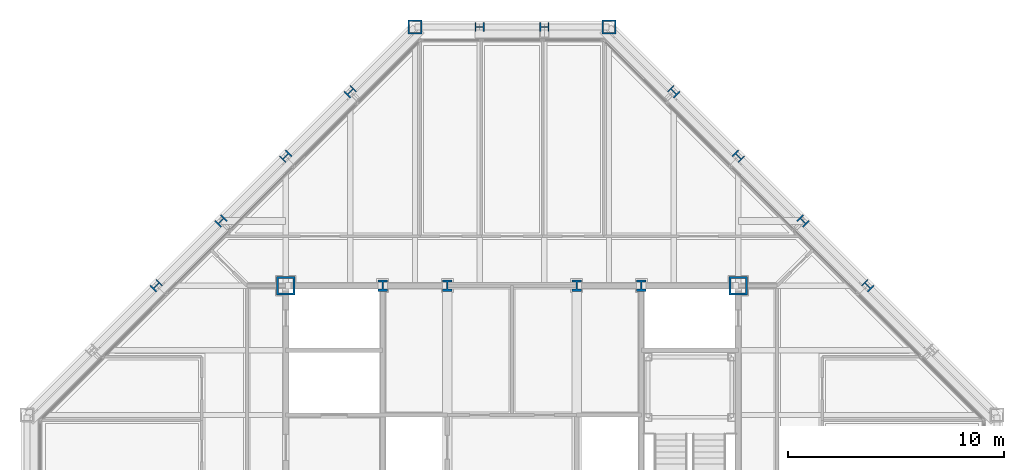
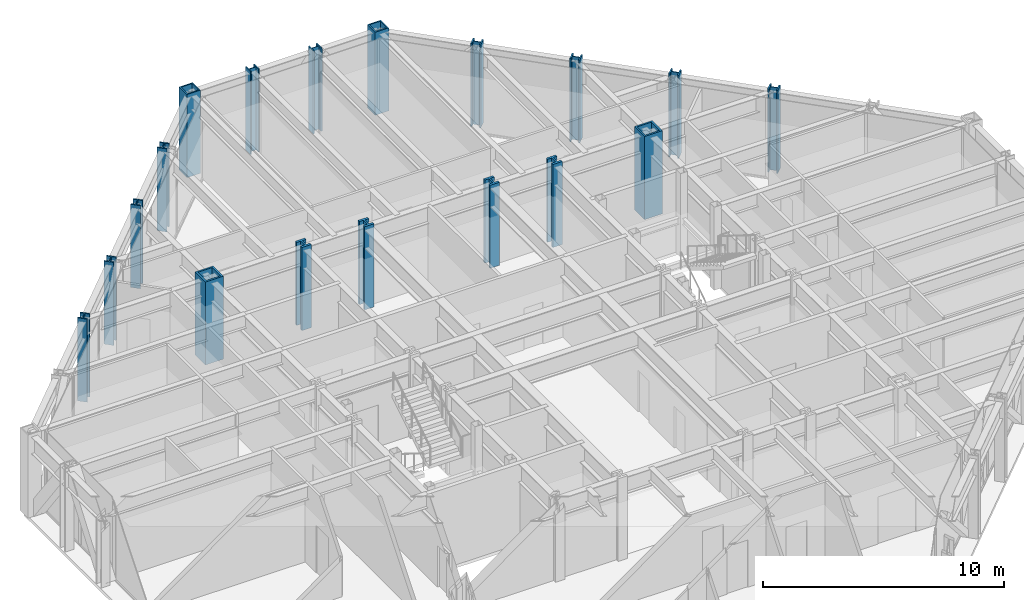
# One storey, part 4 of 15: 18 columns.
"""IFC4 building model written with IfcOpenShell, lengths in metres."""

from ifc_helpers import new_model, si_unit, direction, frame, origin, origin_2d, place, context, subcontext, project, spatial, hollow_rectangle, i_section, extrude, material, material_profile, profile_set, type_object, element, save


model = new_model("IFC4")

# Units and contexts
model_context = context("Model", 3, precision=1e-05, world=origin(), true_north=direction((0.0, 1.0)))
body_context = subcontext(model_context, "Body", "Model", "MODEL_VIEW")
ifc_project = project(units=[si_unit("LENGTHUNIT", "METRE"), si_unit("AREAUNIT", "SQUARE_METRE"), si_unit("VOLUMEUNIT", "CUBIC_METRE"), si_unit("PLANEANGLEUNIT", "RADIAN"), si_unit("MASSUNIT", "GRAM", prefix="KILO")], contexts=[model_context])

# Site, building, storey
site_placement = place(None, origin())
site = spatial("IfcSite", under=ifc_project, at=site_placement, CompositionType="ELEMENT")
building_placement = place(site_placement, origin())
building = spatial("IfcBuilding", under=site, at=building_placement, Name="Chuquiago Exchange Tower", CompositionType="ELEMENT")
storey_placement = place(building_placement, frame((0.0, 0.0, 262.199951171875)))
storey = spatial("IfcBuildingStorey", under=building, at=storey_placement, Name="L58", CompositionType="ELEMENT", Elevation=262.199951171875)

# Columns
ifc_material_1 = material(Name="Steel ASTM A992", Category="steel")
ifc_material_profile_1 = material_profile(ifc_material_1, i_section(OverallWidth=0.411376953125, OverallDepth=0.434326171875, WebThickness=0.035888671875, FlangeThickness=0.057373046875, at=origin_2d()), Name="W14X311")
ifc_profile_set_1 = profile_set([ifc_material_profile_1], Name="Steel ASTM A992")
column_type_1 = type_object("IfcColumnType", Name="C5 W14X311", PredefinedType="COLUMN", material=ifc_profile_set_1)
for number, where, z_axis, x_axis, name in (
    (1, (24.0, 45.0, 0.0), (0.0, 0.0, 1.0), (0.0, 1.0, 0.0), "COL-L58-24_45"),
    (2, (21.0, 45.0, 0.0), (0.0, 0.0, 1.0), (0.0, 1.0, 0.0), "COL-L58-21_45"),
):
    element("IfcColumn", number, at=place(storey_placement, frame(where, z_axis=z_axis, x_axis=x_axis)), inside=storey, type_object=column_type_1, Name=name, PredefinedType="COLUMN", context=body_context, shape_type="SweptSolid", body=[
        extrude(i_section(OverallWidth=0.411376953125, OverallDepth=0.434326171875, WebThickness=0.035888671875, FlangeThickness=0.057373046875, at=origin_2d()), origin(), (0.0, 0.0, 1.0), 4.199951171875),
    ])
ifc_material_2 = material(Name="Steel ASTM A992", Category="steel")
ifc_material_profile_2 = material_profile(ifc_material_2, i_section(OverallWidth=0.449462890625, OverallDepth=0.548583984375, WebThickness=0.07177734375, FlangeThickness=0.11474609375, at=origin_2d()), Name="W14X665")
ifc_profile_set_2 = profile_set([ifc_material_profile_2], Name="Steel ASTM A992")
column_type_2 = type_object("IfcColumnType", Name="CC5 W14X665", PredefinedType="COLUMN", material=ifc_profile_set_2)
for number, where, z_axis, x_axis, name in (
    (3, (16.5, 33.0, 0.0), (0.0, 0.0, 1.0), (1.0, 0.0, 0.0), "CCOL-L58-16.5_33"),
    (4, (19.5, 33.0, 0.0), (0.0, 0.0, 1.0), (1.0, 0.0, 0.0), "CCOL-L58-19.5_33"),
    (5, (25.5, 33.0, 0.0), (0.0, 0.0, 1.0), (1.0, 0.0, 0.0), "CCOL-L58-25.5_33"),
    (6, (28.5, 33.0, 0.0), (0.0, 0.0, 1.0), (1.0, 0.0, 0.0), "CCOL-L58-28.5_33"),
):
    element("IfcColumn", number, at=place(storey_placement, frame(where, z_axis=z_axis, x_axis=x_axis)), inside=storey, type_object=column_type_2, Name=name, PredefinedType="COLUMN", context=body_context, shape_type="SweptSolid", body=[
        extrude(i_section(OverallWidth=0.449462890625, OverallDepth=0.548583984375, WebThickness=0.07177734375, FlangeThickness=0.11474609375, at=origin_2d()), origin(), (0.0, 0.0, 1.0), 4.199951171875),
    ])
ifc_material_3 = material(Name="Steel ASTM A572 Grade 50", Category="steel")
ifc_material_profile_3 = material_profile(ifc_material_3, hollow_rectangle(XDim=0.85009765625, YDim=0.85009765625, WallThickness=0.0849609375, at=origin_2d()), Name="BOX850X850X85")
ifc_profile_set_3 = profile_set([ifc_material_profile_3], Name="Steel ASTM A572 Grade 50")
column_type_3 = type_object("IfcColumnType", Name="CC6 BOX850X850X85", PredefinedType="COLUMN", material=ifc_profile_set_3)
for number, where, z_axis, x_axis, name in (
    (7, (12.0, 33.0, 0.0), (0.0, 0.0, 1.0), (1.0, 0.0, 0.0), "CCOL-L58-12_33"),
    (8, (33.0, 33.0, 0.0), (0.0, 0.0, 1.0), (1.0, 0.0, 0.0), "CCOL-L58-33_33"),
):
    element("IfcColumn", number, at=place(storey_placement, frame(where, z_axis=z_axis, x_axis=x_axis)), inside=storey, type_object=column_type_3, Name=name, PredefinedType="COLUMN", context=body_context, shape_type="SweptSolid", body=[
        extrude(hollow_rectangle(XDim=0.85009765625, YDim=0.85009765625, WallThickness=0.0849609375, at=origin_2d()), origin(), (0.0, 0.0, 1.0), 4.199951171875),
    ])
ifc_material_4 = material(Name="Steel ASTM A992", Category="steel")
ifc_material_profile_4 = material_profile(ifc_material_4, i_section(OverallWidth=0.41650390625, OverallDepth=0.444580078125, WebThickness=0.0390625, FlangeThickness=0.062744140625, at=origin_2d()), Name="W14X342")
ifc_profile_set_4 = profile_set([ifc_material_profile_4], Name="Steel ASTM A992")
column_type_4 = type_object("IfcColumnType", Name="CK5 W14X342", PredefinedType="COLUMN", material=ifc_profile_set_4)
for number, where, z_axis, x_axis, name in (
    (9, (39.0, 33.0, 0.0), (0.0, 0.0, 1.0), (0.707106781187, 0.707106781187, 0.0), "COL-L58-39_33"),
    (10, (36.0, 36.0, 0.0), (0.0, 0.0, 1.0), (0.707106781187, 0.707106781187, 0.0), "COL-L58-36_36"),
    (11, (33.0, 39.0, 0.0), (0.0, 0.0, 1.0), (0.707106781187, 0.707106781187, 0.0), "COL-L58-33_39"),
    (12, (30.0, 42.0, 0.0), (0.0, 0.0, 1.0), (0.707106781187, 0.707106781187, 0.0), "COL-L58-30_42"),
    (13, (15.0, 42.0, 0.0), (0.0, 0.0, 1.0), (-0.707106781187, 0.707106781187, 0.0), "COL-L58-15_42"),
    (14, (12.0, 39.0, 0.0), (0.0, 0.0, 1.0), (-0.707106781187, 0.707106781187, 0.0), "COL-L58-12_39"),
    (15, (9.0, 36.0, 0.0), (0.0, 0.0, 1.0), (-0.707106781187, 0.707106781187, 0.0), "COL-L58-9_36"),
    (16, (6.0, 33.0, 0.0), (0.0, 0.0, 1.0), (-0.707106781187, 0.707106781187, 0.0), "COL-L58-6_33"),
):
    element("IfcColumn", number, at=place(storey_placement, frame(where, z_axis=z_axis, x_axis=x_axis)), inside=storey, type_object=column_type_4, Name=name, PredefinedType="COLUMN", context=body_context, shape_type="SweptSolid", body=[
        extrude(i_section(OverallWidth=0.41650390625, OverallDepth=0.444580078125, WebThickness=0.0390625, FlangeThickness=0.062744140625, at=origin_2d()), origin(), (0.0, 0.0, 1.0), 4.199951171875),
    ])
ifc_material_5 = material(Name="Steel ASTM A572 Grade 50", Category="steel")
ifc_material_profile_5 = material_profile(ifc_material_5, hollow_rectangle(XDim=0.64990234375, YDim=0.64990234375, WallThickness=0.06494140625, at=origin_2d()), Name="BOX650X650X65")
ifc_profile_set_5 = profile_set([ifc_material_profile_5], Name="Steel ASTM A572 Grade 50")
column_type_5 = type_object("IfcColumnType", Name="CN2 BOX650X650X65", PredefinedType="COLUMN", material=ifc_profile_set_5)
for number, where, z_axis, x_axis, name in (
    (17, (27.0, 45.0, 0.0), (0.0, 0.0, 1.0), (0.0, 1.0, 0.0), "COL-L58-27_45"),
    (18, (18.0, 45.0, 0.0), (0.0, 0.0, 1.0), (0.0, 1.0, 0.0), "COL-L58-18_45"),
):
    element("IfcColumn", number, at=place(storey_placement, frame(where, z_axis=z_axis, x_axis=x_axis)), inside=storey, type_object=column_type_5, Name=name, PredefinedType="COLUMN", context=body_context, shape_type="SweptSolid", body=[
        extrude(hollow_rectangle(XDim=0.64990234375, YDim=0.64990234375, WallThickness=0.06494140625, at=origin_2d()), origin(), (0.0, 0.0, 1.0), 4.199951171875),
    ])

save(model, "model.ifc")
